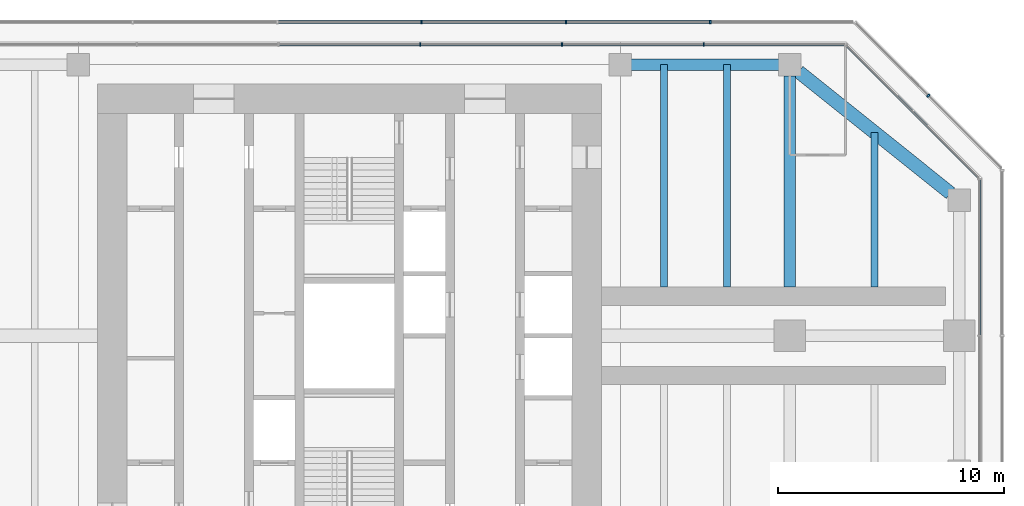
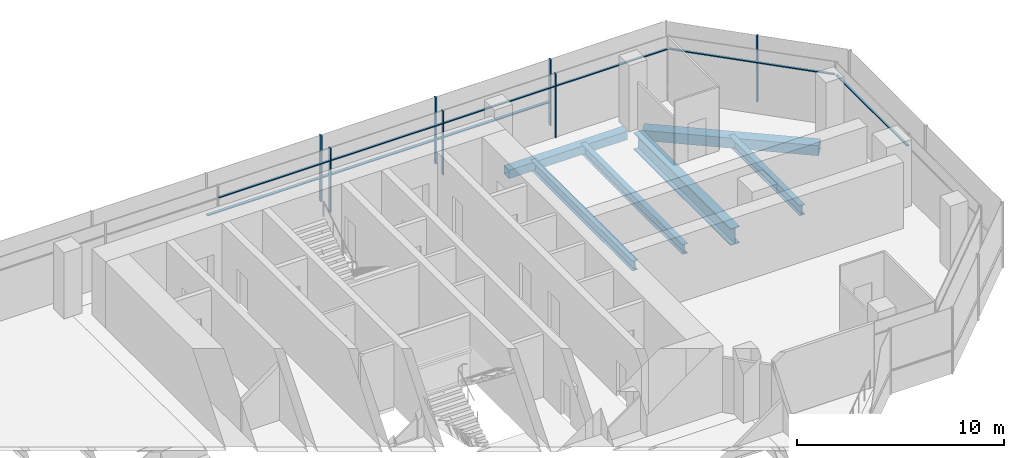
# One storey, part 7 of 15: 16 members, 6 beams, 5 elements without a shape of their own.
"""IFC4 building model written with IfcOpenShell, lengths in metres."""

from ifc_helpers import new_model, si_unit, direction, frame, origin, origin_2d, place, context, subcontext, project, spatial, rectangle, hollow_rectangle, i_section, extrude, material, material_profile, profile_set, type_object, element, aggregate, save


model = new_model("IFC4")

# Units and contexts
model_context = context("Model", 3, precision=1e-05, world=origin(), true_north=direction((0.0, 1.0)))
body_context = subcontext(model_context, "Body", "Model", "MODEL_VIEW")
ifc_project = project(units=[si_unit("LENGTHUNIT", "METRE"), si_unit("AREAUNIT", "SQUARE_METRE"), si_unit("VOLUMEUNIT", "CUBIC_METRE"), si_unit("PLANEANGLEUNIT", "RADIAN"), si_unit("MASSUNIT", "GRAM", prefix="KILO")], contexts=[model_context])

# Site, building, storey
site_placement = place(None, origin())
site = spatial("IfcSite", under=ifc_project, at=site_placement, CompositionType="ELEMENT")
building_placement = place(site_placement, origin())
building = spatial("IfcBuilding", under=site, at=building_placement, Name="Mizan Broadcast Tower", CompositionType="ELEMENT")
storey_placement = place(building_placement, frame((0.0, 0.0, 282.89990234375)))
storey = spatial("IfcBuildingStorey", under=building, at=storey_placement, Name="L67", CompositionType="ELEMENT", Elevation=282.89990234375)

# Beams
ifc_material_1 = material(Name="Steel S355", Category="steel")
ifc_material_profile_1 = material_profile(ifc_material_1, hollow_rectangle(XDim=0.5, YDim=0.5, WallThickness=0.030029296875, at=origin_2d()), Name="BOX 500x500x30")
ifc_profile_set_1 = profile_set([ifc_material_profile_1], Name="Steel S355")
beam_type_1 = type_object("IfcBeamType", Name="EDGE BEAM BOX 500x500x30", PredefinedType="SPANDREL", material=ifc_profile_set_1)
beam_1_placement = place(storey_placement, frame((12.449951171875, 12.0, -0.3798828125), z_axis=(1.0, 0.0, 0.0), x_axis=(0.0, 1.0, 0.0)))
element("IfcBeam", 1, at=beam_1_placement, inside=storey, type_object=beam_type_1, Name="Edge beam BOX 500x500x30 L67 east arm", PredefinedType="SPANDREL", context=body_context, shape_type="SweptSolid", body=[
    extrude(hollow_rectangle(XDim=0.5, YDim=0.5, WallThickness=0.030029296875, at=origin_2d()), origin(), (0.0, 0.0, 1.0), 6.60009765625),
])
ifc_material_2 = material(Name="Steel S355", Category="steel")
ifc_material_profile_2 = material_profile(ifc_material_2, hollow_rectangle(XDim=0.60009765625, YDim=0.60009765625, WallThickness=0.030029296875, at=origin_2d()), Name="BOX 600x600x30")
ifc_profile_set_2 = profile_set([ifc_material_profile_2], Name="Steel S355")
beam_type_2 = type_object("IfcBeamType", Name="EDGE BEAM BOX 600x600x30", PredefinedType="SPANDREL", material=ifc_profile_set_2)
beam_2_placement = place(storey_placement, frame((19.890380859375, 11.687744140625, -0.429931640625), z_axis=(0.780863273348, -0.62470196761, 0.0), x_axis=(0.62470196761, 0.780863273348, 0.0)))
element("IfcBeam", 2, at=beam_2_placement, inside=storey, type_object=beam_type_2, Name="Edge beam BOX 600x600x30 L67 east arm", PredefinedType="SPANDREL", context=body_context, shape_type="SweptSolid", body=[
    extrude(hollow_rectangle(XDim=0.60009765625, YDim=0.60009765625, WallThickness=0.030029296875, at=origin_2d()), origin(), (0.0, 0.0, 1.0), 8.60498046875),
])
ifc_material_3 = material(Name="Steel S460", Category="steel")
ifc_material_profile_3 = material_profile(ifc_material_3, i_section(OverallWidth=0.5, OverallDepth=1.0, WebThickness=0.02490234375, FlangeThickness=0.050048828125, at=origin_2d()), Name="WPG 1000x500")
ifc_profile_set_3 = profile_set([ifc_material_profile_3], Name="Steel S460")
beam_type_3 = type_object("IfcBeamType", Name="GIRDER WPG 1000x500", PredefinedType="BEAM", material=ifc_profile_set_3)
beam_3_placement = place(storey_placement, frame((19.5, 11.5, -0.6298828125), z_axis=(0.0, -1.0, 0.0), x_axis=(1.0, 0.0, 0.0)))
element("IfcBeam", 3, at=beam_3_placement, inside=storey, type_object=beam_type_3, Name="Girder WPG 1000x500 L67 east arm", PredefinedType="BEAM", context=body_context, shape_type="SweptSolid", body=[
    extrude(i_section(OverallWidth=0.5, OverallDepth=1.0, WebThickness=0.02490234375, FlangeThickness=0.050048828125, at=origin_2d()), origin(), (0.0, 0.0, 1.0), 9.35009765625),
])

# Curtain wall, members
ifc_material_4 = material(Name="Aluminium framed glazing", Category="aluminium")
curtain_wall_type_1 = type_object("IfcCurtainWallType", Name="INNER SKIN TOP ZONE", PredefinedType="USERDEFINED", material=ifc_material_4)
curtain_wall_1_placement = place(storey_placement, origin())
curtain_wall_1 = element("IfcCurtainWall", 4, at=curtain_wall_1_placement, inside=storey, type_object=curtain_wall_type_1, Name="Inner skin top zone L67 N end", ObjectType="INNER SKIN TOP ZONE", PredefinedType="USERDEFINED")
ifc_material_5 = material(Name="Aluminium, pale anodised", Category="aluminium")
ifc_material_profile_4 = material_profile(ifc_material_5, rectangle(XDim=0.159912109375, YDim=0.06005859375, at=origin_2d()), Name="MULLION 160x60")
ifc_profile_set_4 = profile_set([ifc_material_profile_4], Name="Aluminium, pale anodised")
member_type_1 = type_object("IfcMemberType", Name="INNER SKIN MULLION 60x160", PredefinedType="MULLION", material=ifc_profile_set_4)
member_1_placement = place(storey_placement, frame((15.684814453125, 12.89990234375, 0.0), z_axis=(0.0, 0.0, 1.0), x_axis=(0.0, -1.0, 0.0)))
member_1 = element("IfcMember", 5, at=member_1_placement, type_object=member_type_1, Name="Inner skin top zone L67 N end mullion 2", PredefinedType="MULLION", context=body_context, shape_type="SweptSolid", body=[
    extrude(rectangle(XDim=0.159912109375, YDim=0.06005859375, at=origin_2d()), origin(), (0.0, 0.0, 1.0), 3.77001953125),
])
member_2_placement = place(storey_placement, frame((9.410888671875, 12.89990234375, 0.0), z_axis=(0.0, 0.0, 1.0), x_axis=(0.0, -1.0, 0.0)))
member_2 = element("IfcMember", 6, at=member_2_placement, type_object=member_type_1, Name="Inner skin top zone L67 N end mullion 3", PredefinedType="MULLION", context=body_context, shape_type="SweptSolid", body=[
    extrude(rectangle(XDim=0.159912109375, YDim=0.06005859375, at=origin_2d()), origin(), (0.0, 0.0, 1.0), 3.77001953125),
])
member_3_placement = place(storey_placement, frame((3.136962890625, 12.89990234375, 0.0), z_axis=(0.0, 0.0, 1.0), x_axis=(0.0, -1.0, 0.0)))
member_3 = element("IfcMember", 7, at=member_3_placement, type_object=member_type_1, Name="Inner skin top zone L67 N end mullion 4", PredefinedType="MULLION", context=body_context, shape_type="SweptSolid", body=[
    extrude(rectangle(XDim=0.159912109375, YDim=0.06005859375, at=origin_2d()), origin(), (0.0, 0.0, 1.0), 3.77001953125),
])

# Curtain wall, member
curtain_wall_2_placement = place(storey_placement, origin())
curtain_wall_2 = element("IfcCurtainWall", 8, at=curtain_wall_2_placement, inside=storey, type_object=curtain_wall_type_1, Name="Inner skin top zone L67 E end", ObjectType="INNER SKIN TOP ZONE", PredefinedType="USERDEFINED")
ifc_material_6 = material(Name="Aluminium, pale anodised", Category="aluminium")
ifc_material_profile_5 = material_profile(ifc_material_6, rectangle(XDim=0.1201171875, YDim=0.06005859375, at=origin_2d()), Name="TRANSOM 120x60")
ifc_profile_set_5 = profile_set([ifc_material_profile_5], Name="Aluminium, pale anodised")
member_type_2 = type_object("IfcMemberType", Name="INNER SKIN TRANSOM 60x120", PredefinedType="USERDEFINED", material=ifc_profile_set_5)
member_4_placement = place(storey_placement, frame((27.89990234375, 0.030029296875, 3.030029296875), z_axis=(0.0, 1.0, 0.0), x_axis=(-1.0, 0.0, 0.0)))
member_4 = element("IfcMember", 9, at=member_4_placement, type_object=member_type_2, Name="Inner skin top zone L67 E end transom 2.1", ObjectType="TRANSOM", PredefinedType="USERDEFINED", context=body_context, shape_type="SweptSolid", body=[
    extrude(rectangle(XDim=0.1201171875, YDim=0.06005859375, at=origin_2d()), origin(), (0.0, 0.0, 1.0), 6.86865234375),
])
aggregate(curtain_wall_2, [member_4])

curtain_wall_3_placement = place(storey_placement, origin())
curtain_wall_3 = element("IfcCurtainWall", 10, at=curtain_wall_3_placement, inside=storey, type_object=curtain_wall_type_1, Name="Inner skin top zone L67 E chamfer", ObjectType="INNER SKIN TOP ZONE", PredefinedType="USERDEFINED")
member_5_placement = place(storey_placement, frame((27.857666015625, 7.0009765625, 3.030029296875), z_axis=(-0.707106781187, 0.707106781187, 0.0), x_axis=(-0.707106781187, -0.707106781187, 0.0)))
member_5 = element("IfcMember", 11, at=member_5_placement, type_object=member_type_2, Name="Inner skin top zone L67 E chamfer transom 1.1", ObjectType="TRANSOM", PredefinedType="USERDEFINED", context=body_context, shape_type="SweptSolid", body=[
    extrude(rectangle(XDim=0.1201171875, YDim=0.06005859375, at=origin_2d()), origin(), (0.0, 0.0, 1.0), 8.28271484375),
])
aggregate(curtain_wall_3, [member_5])

# Member
member_6_placement = place(storey_placement, frame((21.898681640625, 12.89990234375, 3.030029296875), z_axis=(-1.0, 0.0, 0.0), x_axis=(0.0, -1.0, 0.0)))
member_6 = element("IfcMember", 12, at=member_6_placement, type_object=member_type_2, Name="Inner skin top zone L67 N end transom 1.1", ObjectType="TRANSOM", PredefinedType="USERDEFINED", context=body_context, shape_type="SweptSolid", body=[
    extrude(rectangle(XDim=0.1201171875, YDim=0.06005859375, at=origin_2d()), origin(), (0.0, 0.0, 1.0), 6.18408203125),
])

member_7_placement = place(storey_placement, frame((15.65478515625, 12.89990234375, 3.030029296875), z_axis=(-1.0, 0.0, 0.0), x_axis=(0.0, -1.0, 0.0)))
member_7 = element("IfcMember", 13, at=member_7_placement, type_object=member_type_2, Name="Inner skin top zone L67 N end transom 2.1", ObjectType="TRANSOM", PredefinedType="USERDEFINED", context=body_context, shape_type="SweptSolid", body=[
    extrude(rectangle(XDim=0.1201171875, YDim=0.06005859375, at=origin_2d()), origin(), (0.0, 0.0, 1.0), 6.2138671875),
])

member_8_placement = place(storey_placement, frame((9.380859375, 12.89990234375, 3.030029296875), z_axis=(-1.0, 0.0, 0.0), x_axis=(0.0, -1.0, 0.0)))
member_8 = element("IfcMember", 14, at=member_8_placement, type_object=member_type_2, Name="Inner skin top zone L67 N end transom 3.1", ObjectType="TRANSOM", PredefinedType="USERDEFINED", context=body_context, shape_type="SweptSolid", body=[
    extrude(rectangle(XDim=0.1201171875, YDim=0.06005859375, at=origin_2d()), origin(), (0.0, 0.0, 1.0), 6.2138671875),
])

member_9_placement = place(storey_placement, frame((3.10693359375, 12.89990234375, 3.030029296875), z_axis=(-1.0, 0.0, 0.0), x_axis=(0.0, -1.0, 0.0)))
member_9 = element("IfcMember", 15, at=member_9_placement, type_object=member_type_2, Name="Inner skin top zone L67 N end transom 4.1", ObjectType="TRANSOM", PredefinedType="USERDEFINED", context=body_context, shape_type="SweptSolid", body=[
    extrude(rectangle(XDim=0.1201171875, YDim=0.06005859375, at=origin_2d()), origin(), (0.0, 0.0, 1.0), 6.2138671875),
])

aggregate(curtain_wall_1, [member_1, member_2, member_3, member_6, member_7, member_8, member_9])

# Curtain wall, member
ifc_material_7 = material(Name="Aluminium framed glazing", Category="aluminium")
curtain_wall_type_2 = type_object("IfcCurtainWallType", Name="OUTER SKIN", PredefinedType="USERDEFINED", material=ifc_material_7)
curtain_wall_4_placement = place(storey_placement, origin())
curtain_wall_4 = element("IfcCurtainWall", 16, at=curtain_wall_4_placement, inside=storey, type_object=curtain_wall_type_2, Name="Outer skin L67 E chamfer", ObjectType="OUTER SKIN", PredefinedType="USERDEFINED")
ifc_material_8 = material(Name="Aluminium, pale anodised", Category="aluminium")
ifc_material_profile_6 = material_profile(ifc_material_8, rectangle(XDim=0.159912109375, YDim=0.080078125, at=origin_2d()), Name="MULLION 160x80")
ifc_profile_set_6 = profile_set([ifc_material_profile_6], Name="Aluminium, pale anodised")
member_type_3 = type_object("IfcMemberType", Name="OUTER SKIN MULLION 80x160", PredefinedType="MULLION", material=ifc_profile_set_6)
member_10_placement = place(storey_placement, frame((25.636474609375, 10.636474609375, 0.0), z_axis=(0.0, 0.0, 1.0), x_axis=(-0.707106781187, -0.707106781187, 0.0)))
member_10 = element("IfcMember", 17, at=member_10_placement, type_object=member_type_3, Name="Outer skin L67 E chamfer mullion 2", PredefinedType="MULLION", context=body_context, shape_type="SweptSolid", body=[
    extrude(rectangle(XDim=0.159912109375, YDim=0.080078125, at=origin_2d()), origin(), (0.0, 0.0, 1.0), 3.900146484375),
])
aggregate(curtain_wall_4, [member_10])

# Curtain wall, members
curtain_wall_5_placement = place(storey_placement, origin())
curtain_wall_5 = element("IfcCurtainWall", 18, at=curtain_wall_5_placement, inside=storey, type_object=curtain_wall_type_2, Name="Outer skin L67 N end", ObjectType="OUTER SKIN", PredefinedType="USERDEFINED")
member_11_placement = place(storey_placement, frame((15.98046875, 13.89990234375, 0.0), z_axis=(0.0, 0.0, 1.0), x_axis=(0.0, -1.0, 0.0)))
member_11 = element("IfcMember", 19, at=member_11_placement, type_object=member_type_3, Name="Outer skin L67 N end mullion 2", PredefinedType="MULLION", context=body_context, shape_type="SweptSolid", body=[
    extrude(rectangle(XDim=0.159912109375, YDim=0.080078125, at=origin_2d()), origin(), (0.0, 0.0, 1.0), 3.900146484375),
])
member_12_placement = place(storey_placement, frame((9.58837890625, 13.89990234375, 0.0), z_axis=(0.0, 0.0, 1.0), x_axis=(0.0, -1.0, 0.0)))
member_12 = element("IfcMember", 20, at=member_12_placement, type_object=member_type_3, Name="Outer skin L67 N end mullion 3", PredefinedType="MULLION", context=body_context, shape_type="SweptSolid", body=[
    extrude(rectangle(XDim=0.159912109375, YDim=0.080078125, at=origin_2d()), origin(), (0.0, 0.0, 1.0), 3.900146484375),
])
member_13_placement = place(storey_placement, frame((3.196044921875, 13.89990234375, 0.0), z_axis=(0.0, 0.0, 1.0), x_axis=(0.0, -1.0, 0.0)))
member_13 = element("IfcMember", 21, at=member_13_placement, type_object=member_type_3, Name="Outer skin L67 N end mullion 4", PredefinedType="MULLION", context=body_context, shape_type="SweptSolid", body=[
    extrude(rectangle(XDim=0.159912109375, YDim=0.080078125, at=origin_2d()), origin(), (0.0, 0.0, 1.0), 3.900146484375),
])
ifc_material_9 = material(Name="Aluminium, pale anodised", Category="aluminium")
ifc_material_profile_7 = material_profile(ifc_material_9, rectangle(XDim=0.159912109375, YDim=0.06005859375, at=origin_2d()), Name="TRANSOM 160x60")
ifc_profile_set_7 = profile_set([ifc_material_profile_7], Name="Aluminium, pale anodised")
member_type_4 = type_object("IfcMemberType", Name="OUTER SKIN TRANSOM 60x160", PredefinedType="USERDEFINED", material=ifc_profile_set_7)
member_14_placement = place(storey_placement, frame((15.940673828125, 13.89990234375, 1.400146484375), z_axis=(-1.0, 0.0, 0.0), x_axis=(0.0, -1.0, 0.0)))
member_14 = element("IfcMember", 22, at=member_14_placement, type_object=member_type_4, Name="Outer skin L67 N end transom 2.1", ObjectType="TRANSOM", PredefinedType="USERDEFINED", context=body_context, shape_type="SweptSolid", body=[
    extrude(rectangle(XDim=0.159912109375, YDim=0.06005859375, at=origin_2d()), origin(), (0.0, 0.0, 1.0), 6.312255859375),
])
member_15_placement = place(storey_placement, frame((9.54833984375, 13.89990234375, 1.400146484375), z_axis=(-1.0, 0.0, 0.0), x_axis=(0.0, -1.0, 0.0)))
member_15 = element("IfcMember", 23, at=member_15_placement, type_object=member_type_4, Name="Outer skin L67 N end transom 3.1", ObjectType="TRANSOM", PredefinedType="USERDEFINED", context=body_context, shape_type="SweptSolid", body=[
    extrude(rectangle(XDim=0.159912109375, YDim=0.06005859375, at=origin_2d()), origin(), (0.0, 0.0, 1.0), 6.312255859375),
])
member_16_placement = place(storey_placement, frame((3.156005859375, 13.89990234375, 1.400146484375), z_axis=(-1.0, 0.0, 0.0), x_axis=(0.0, -1.0, 0.0)))
member_16 = element("IfcMember", 24, at=member_16_placement, type_object=member_type_4, Name="Outer skin L67 N end transom 4.1", ObjectType="TRANSOM", PredefinedType="USERDEFINED", context=body_context, shape_type="SweptSolid", body=[
    extrude(rectangle(XDim=0.159912109375, YDim=0.06005859375, at=origin_2d()), origin(), (0.0, 0.0, 1.0), 6.31201171875),
])
aggregate(curtain_wall_5, [member_11, member_12, member_13, member_14, member_15, member_16])

# Beams
ifc_material_10 = material(Name="Steel S355", Category="steel")
ifc_material_profile_8 = material_profile(ifc_material_10, i_section(OverallWidth=0.300048828125, OverallDepth=0.590087890625, WebThickness=0.012939453125, FlangeThickness=0.02490234375, FilletRadius=0.027099609375, at=origin_2d()), Name="HEA 600")
ifc_profile_set_8 = profile_set([ifc_material_profile_8], Name="Steel S355")
beam_type_4 = type_object("IfcBeamType", Name="SECONDARY BEAM HEA 600", PredefinedType="JOIST", material=ifc_profile_set_8)
for number, where, z_axis, x_axis, name in (
    (25, (13.933349609375, 12.0, -0.4248046875), (0.0, -1.0, 0.0), (1.0, 0.0, 0.0), "Secondary beam HEA 600 L67 east arm"),
    (26, (16.716552734375, 12.0, -0.4248046875), (0.0, -1.0, 0.0), (1.0, 0.0, 0.0), "Secondary beam HEA 600 L67 east arm"),
):
    element("IfcBeam", number, at=place(storey_placement, frame(where, z_axis=z_axis, x_axis=x_axis)), inside=storey, type_object=beam_type_4, Name=name, PredefinedType="JOIST", context=body_context, shape_type="SweptSolid", body=[
        extrude(i_section(OverallWidth=0.300048828125, OverallDepth=0.590087890625, WebThickness=0.012939453125, FlangeThickness=0.02490234375, FilletRadius=0.027099609375, at=origin_2d()), origin(), (0.0, 0.0, 1.0), 9.85009765625),
    ])
beam_4_placement = place(storey_placement, frame((23.25, 9.0, -0.4248046875), z_axis=(0.0, -1.0, 0.0), x_axis=(1.0, 0.0, 0.0)))
element("IfcBeam", 27, at=beam_4_placement, inside=storey, type_object=beam_type_4, Name="Secondary beam HEA 600 L67 east arm", PredefinedType="JOIST", context=body_context, shape_type="SweptSolid", body=[
    extrude(i_section(OverallWidth=0.300048828125, OverallDepth=0.590087890625, WebThickness=0.012939453125, FlangeThickness=0.02490234375, FilletRadius=0.027099609375, at=origin_2d()), origin(), (0.0, 0.0, 1.0), 6.85009765625),
])

save(model, "model.ifc")
